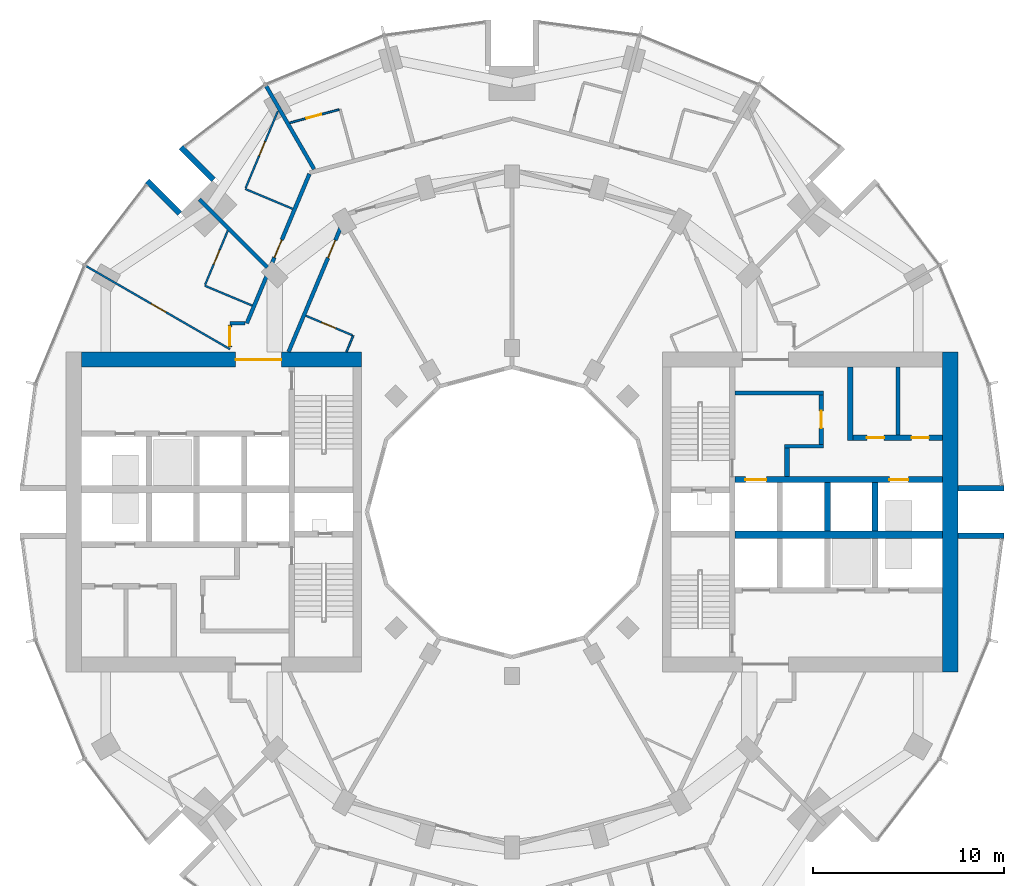
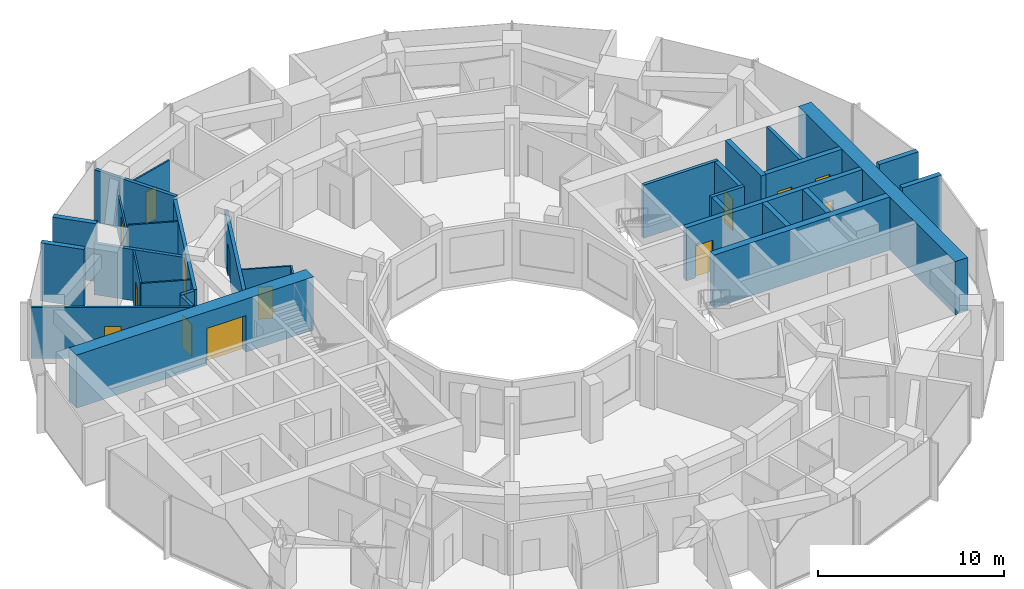
# One storey, part 11 of 15: 31 walls, 14 doors, 14 openings.
"""IFC4 building model written with IfcOpenShell, lengths in metres."""

from ifc_helpers import new_model, si_unit, direction, frame, frame_2d, origin, place, context, subcontext, project, spatial, rectangle, extrude, material, layer, layer_set, type_object, element, fill, save


model = new_model("IFC4")

# Units and contexts
model_context = context("Model", 3, precision=1e-05, world=origin(), true_north=direction((0.0, 1.0)))
body_context = subcontext(model_context, "Body", "Model", "MODEL_VIEW")
ifc_project = project(units=[si_unit("LENGTHUNIT", "METRE"), si_unit("AREAUNIT", "SQUARE_METRE"), si_unit("VOLUMEUNIT", "CUBIC_METRE"), si_unit("PLANEANGLEUNIT", "RADIAN"), si_unit("MASSUNIT", "GRAM", prefix="KILO")], contexts=[model_context])

# Site, building, storey
site_placement = place(None, origin())
site = spatial("IfcSite", under=ifc_project, at=site_placement, CompositionType="ELEMENT")
building_placement = place(site_placement, origin())
building = spatial("IfcBuilding", under=site, at=building_placement, Name="Torre Brocal", CompositionType="ELEMENT")
storey_placement = place(building_placement, frame((0.0, 0.0, 86.199951171875)))
storey = spatial("IfcBuildingStorey", under=building, at=storey_placement, Name="L19", CompositionType="ELEMENT", Elevation=86.199951171875)

# Walls
ifc_material_1 = material(Name="Masonry block", Category="masonry")
ifc_layer_1 = layer(ifc_material_1, 0.199951171875)
ifc_layer_set_1 = layer_set([ifc_layer_1], Name="Masonry block")
wall_type_1 = type_object("IfcWallType", Name="CORE PARTITION 200", PredefinedType="PARTITIONING", material=ifc_layer_set_1)
wall_1_placement = place(storey_placement, frame((100.25, 79.050048828125, 0.0), z_axis=(0.0, 0.0, 1.0), x_axis=(0.0, 1.0, 0.0)))
element("IfcWall", 1, at=wall_1_placement, inside=storey, type_object=wall_type_1, Name="Wall CP200", PredefinedType="PARTITIONING", context=body_context, shape_type="SweptSolid", body=[
    extrude(rectangle(XDim=3.550048828125, YDim=0.199951171875, at=frame_2d((1.77490234375, 0.0))), origin(), (0.0, 0.0, 1.0), 3.47998046875),
])
ifc_material_2 = material(Name="Concrete C80", Category="concrete")
ifc_layer_2 = layer(ifc_material_2, 0.199951171875)
ifc_layer_set_2 = layer_set([ifc_layer_2], Name="Concrete C80")
wall_type_2 = type_object("IfcWallType", Name="CORE WALL 200 C80", PredefinedType="SHEAR", material=ifc_layer_set_2)
wall_2_placement = place(storey_placement, frame((91.699951171875, 81.25, 0.0), z_axis=(0.0, 0.0, 1.0), x_axis=(1.0, 0.0, 0.0)))
element("IfcWall", 2, at=wall_2_placement, inside=storey, type_object=wall_type_2, Name="Wall CW200-80", PredefinedType="SHEAR", context=body_context, shape_type="SweptSolid", body=[
    extrude(rectangle(XDim=4.650146484375, YDim=0.199951171875, at=frame_2d((2.3251953125, 0.0))), origin(), (0.0, 0.0, 1.0), 3.47998046875),
])
wall_3_placement = place(storey_placement, frame((94.300048828125, 78.449951171875, 0.0), z_axis=(0.0, 0.0, 1.0), x_axis=(1.0, 0.0, 0.0)))
element("IfcWall", 3, at=wall_3_placement, inside=storey, type_object=wall_type_2, Name="Wall CW200-80", PredefinedType="SHEAR", context=body_context, shape_type="SweptSolid", body=[
    extrude(rectangle(XDim=2.050048828125, YDim=0.199951171875, at=frame_2d((1.02490234375, 0.0))), origin(), (0.0, 0.0, 1.0), 3.47998046875),
])

# Wall, opening, door
ifc_material_3 = material(Name="Concrete C80", Category="concrete")
ifc_layer_3 = layer(ifc_material_3, 0.25)
ifc_layer_set_3 = layer_set([ifc_layer_3], Name="Concrete C80")
wall_type_3 = type_object("IfcWallType", Name="CORE WALL 250 C80", PredefinedType="SHEAR", material=ifc_layer_set_3)
wall_4_placement = place(storey_placement, frame((96.22509765625, 78.550048828125, 0.0), z_axis=(0.0, 0.0, 1.0), x_axis=(0.0, 1.0, 0.0)))
wall_4 = element("IfcWall", 4, at=wall_4_placement, inside=storey, type_object=wall_type_3, Name="Wall CW250-80", PredefinedType="SHEAR", context=body_context, shape_type="SweptSolid", body=[
    extrude(rectangle(XDim=2.599853515625, YDim=0.25, at=frame_2d((1.2998046875, 0.0))), origin(), (0.0, 0.0, 1.0), 3.47998046875),
])
opening_1_placement = place(wall_4_placement, frame((0.85009765625, 0.0, 0.0)))
opening_1 = element("IfcOpeningElement", 5, at=opening_1_placement, cuts=wall_4, Name="Opening E-D15", PredefinedType="OPENING", context=body_context, shape_type="SweptSolid", body=[
    extrude(rectangle(XDim=0.89990234375, YDim=2.10009765625, at=frame_2d((0.449951171875, 1.050048828125))), frame((0.0, 0.135009765625, 0.0), z_axis=(0.0, -1.0, 0.0), x_axis=(1.0, 0.0, 0.0)), (0.0, 0.0, 1.0), 0.27001953125),
])
ifc_material_4 = material(Name="Steel A653", Category="steel")
door_type_1 = type_object("IfcDoorType", Name="LOBBY DOOR FD120 900X2100", OperationType="SINGLE_SWING_RIGHT", PredefinedType="DOOR", material=ifc_material_4)
door_1_placement = place(opening_1_placement, origin())
door_1 = element("IfcDoor", 6, at=door_1_placement, inside=storey, type_object=door_type_1, Name="Door E-D15", OperationType="SINGLE_SWING_LEFT", OverallHeight=2.10009765625, OverallWidth=0.89990234375, PredefinedType="DOOR", context=body_context, shape_type="SweptSolid", body=[
    extrude(rectangle(XDim=0.89990234375, YDim=2.10009765625, at=frame_2d((0.449951171875, 1.050048828125))), frame((0.0, 0.02490234375, 0.0), z_axis=(0.0, -1.0, 0.0), x_axis=(1.0, 0.0, 0.0)), (0.0, 0.0, 1.0), 0.050048828125),
])
fill(opening_1, door_1)

# Wall
wall_5_placement = place(storey_placement, frame((94.425048828125, 76.85009765625, 0.0), z_axis=(0.0, 0.0, 1.0), x_axis=(0.0, 1.0, 0.0)))
element("IfcWall", 7, at=wall_5_placement, inside=storey, type_object=wall_type_3, Name="Wall CW250-80", PredefinedType="SHEAR", context=body_context, shape_type="SweptSolid", body=[
    extrude(rectangle(XDim=1.5, YDim=0.25, at=frame_2d((0.75, 0.0))), origin(), (0.0, 0.0, 1.0), 3.47998046875),
])

# Wall, openings, doors
ifc_material_5 = material(Name="Concrete C80", Category="concrete")
ifc_layer_4 = layer(ifc_material_5, 0.300048828125)
ifc_layer_set_4 = layer_set([ifc_layer_4], Name="Concrete C80")
wall_type_4 = type_object("IfcWallType", Name="CORE WALL 300 C80", PredefinedType="SHEAR", material=ifc_layer_set_4)
wall_6_placement = place(storey_placement, frame((91.699951171875, 76.699951171875, 0.0), z_axis=(0.0, 0.0, 1.0), x_axis=(1.0, 0.0, 0.0)))
wall_6 = element("IfcWall", 8, at=wall_6_placement, inside=storey, type_object=wall_type_4, Name="Wall CW300-80", PredefinedType="SHEAR", context=body_context, shape_type="SweptSolid", body=[
    extrude(rectangle(XDim=10.900146484375, YDim=0.300048828125, at=frame_2d((5.4501953125, 0.0))), origin(), (0.0, 0.0, 1.0), 3.47998046875),
])
opening_2_placement = place(wall_6_placement, frame((0.550048828125, 0.0, 0.0)))
opening_2 = element("IfcOpeningElement", 9, at=opening_2_placement, cuts=wall_6, Name="Opening LD", PredefinedType="OPENING", context=body_context, shape_type="SweptSolid", body=[
    extrude(rectangle(XDim=1.10009765625, YDim=2.10009765625, at=frame_2d((0.550048828125, 1.050048828125))), frame((0.0, 0.159912109375, 0.0), z_axis=(0.0, -1.0, 0.0), x_axis=(1.0, 0.0, 0.0)), (0.0, 0.0, 1.0), 0.320068359375),
])
opening_3_placement = place(wall_6_placement, frame((8.10009765625, 0.0, 0.0)))
opening_3 = element("IfcOpeningElement", 10, at=opening_3_placement, cuts=wall_6, Name="Opening LD10", PredefinedType="OPENING", context=body_context, shape_type="SweptSolid", body=[
    extrude(rectangle(XDim=1.0, YDim=2.10009765625, at=frame_2d((0.5, 1.050048828125))), frame((0.0, 0.159912109375, 0.0), z_axis=(0.0, -1.0, 0.0), x_axis=(1.0, 0.0, 0.0)), (0.0, 0.0, 1.0), 0.320068359375),
])
ifc_material_6 = material(Name="Stainless steel AISI 316", Category="steel")
door_type_2 = type_object("IfcDoorType", Name="LIFT LANDING DOOR 1000X2100", OperationType="DOUBLE_DOOR_SLIDING", PredefinedType="DOOR", material=ifc_material_6)
door_2_placement = place(opening_3_placement, origin())
door_2 = element("IfcDoor", 11, at=door_2_placement, inside=storey, type_object=door_type_2, Name="Door LD10", OperationType="DOUBLE_DOOR_SLIDING", OverallHeight=2.10009765625, OverallWidth=1.0, PredefinedType="DOOR", context=body_context, shape_type="SweptSolid", body=[
    extrude(rectangle(XDim=1.0, YDim=2.10009765625, at=frame_2d((0.5, 1.050048828125))), frame((0.0, 0.02490234375, 0.0), z_axis=(0.0, -1.0, 0.0), x_axis=(1.0, 0.0, 0.0)), (0.0, 0.0, 1.0), 0.050048828125),
])
fill(opening_3, door_2)
ifc_material_7 = material(Name="Stainless steel AISI 316", Category="steel")
door_type_3 = type_object("IfcDoorType", Name="LIFT LANDING DOOR 1100X2100", OperationType="DOUBLE_DOOR_SLIDING", PredefinedType="DOOR", material=ifc_material_7)
door_3_placement = place(opening_2_placement, origin())
door_3 = element("IfcDoor", 12, at=door_3_placement, inside=storey, type_object=door_type_3, Name="Door LD", OperationType="DOUBLE_DOOR_SLIDING", OverallHeight=2.10009765625, OverallWidth=1.10009765625, PredefinedType="DOOR", context=body_context, shape_type="SweptSolid", body=[
    extrude(rectangle(XDim=1.10009765625, YDim=2.10009765625, at=frame_2d((0.550048828125, 1.050048828125))), frame((0.0, 0.02490234375, 0.0), z_axis=(0.0, -1.0, 0.0), x_axis=(1.0, 0.0, 0.0)), (0.0, 0.0, 1.0), 0.050048828125),
])
fill(opening_2, door_3)

# Walls
for number, where, z_axis, x_axis, name in (
    (13, (96.550048828125, 74.0, 0.0), (0.0, 0.0, 1.0), (0.0, 1.0, 0.0), "Wall CW300-80"),
    (14, (99.050048828125, 74.0, 0.0), (0.0, 0.0, 1.0), (0.0, 1.0, 0.0), "Wall CW300-80"),
):
    element("IfcWall", number, at=place(storey_placement, frame(where, z_axis=z_axis, x_axis=x_axis)), inside=storey, type_object=wall_type_4, Name=name, PredefinedType="SHEAR", context=body_context, shape_type="SweptSolid", body=[
        extrude(rectangle(XDim=2.550048828125, YDim=0.300048828125, at=frame_2d((1.27490234375, 0.0))), origin(), (0.0, 0.0, 1.0), 3.47998046875),
    ])
wall_7_placement = place(storey_placement, frame((97.75, 78.75, 0.0), z_axis=(0.0, 0.0, 1.0), x_axis=(0.0, 1.0, 0.0)))
element("IfcWall", 15, at=wall_7_placement, inside=storey, type_object=wall_type_4, Name="Wall CW300-80", PredefinedType="SHEAR", context=body_context, shape_type="SweptSolid", body=[
    extrude(rectangle(XDim=3.85009765625, YDim=0.300048828125, at=frame_2d((1.925048828125, 0.0))), origin(), (0.0, 0.0, 1.0), 3.47998046875),
])

# Wall, openings, doors
wall_8_placement = place(storey_placement, frame((97.89990234375, 78.89990234375, 0.0), z_axis=(0.0, 0.0, 1.0), x_axis=(1.0, 0.0, 0.0)))
wall_8 = element("IfcWall", 16, at=wall_8_placement, inside=storey, type_object=wall_type_4, Name="Wall CW300-80", PredefinedType="SHEAR", context=body_context, shape_type="SweptSolid", body=[
    extrude(rectangle(XDim=4.7001953125, YDim=0.300048828125, at=frame_2d((2.35009765625, 0.0))), origin(), (0.0, 0.0, 1.0), 3.47998046875),
])
opening_4_placement = place(wall_8_placement, frame((0.72509765625, 0.0, 0.0)))
opening_4 = element("IfcOpeningElement", 17, at=opening_4_placement, cuts=wall_8, Name="Opening E-D05", PredefinedType="OPENING", context=body_context, shape_type="SweptSolid", body=[
    extrude(rectangle(XDim=0.89990234375, YDim=2.10009765625, at=frame_2d((0.449951171875, 1.050048828125))), frame((0.0, 0.159912109375, 0.0), z_axis=(0.0, -1.0, 0.0), x_axis=(1.0, 0.0, 0.0)), (0.0, 0.0, 1.0), 0.320068359375),
])
opening_5_placement = place(wall_8_placement, frame((3.074951171875, 0.0, 0.0)))
opening_5 = element("IfcOpeningElement", 18, at=opening_5_placement, cuts=wall_8, Name="Opening E-D06", PredefinedType="OPENING", context=body_context, shape_type="SweptSolid", body=[
    extrude(rectangle(XDim=0.89990234375, YDim=2.10009765625, at=frame_2d((0.449951171875, 1.050048828125))), frame((0.0, 0.159912109375, 0.0), z_axis=(0.0, -1.0, 0.0), x_axis=(1.0, 0.0, 0.0)), (0.0, 0.0, 1.0), 0.320068359375),
])
ifc_material_8 = material(Name="Steel A653", Category="steel")
door_type_4 = type_object("IfcDoorType", Name="ROOM DOOR FD30S 900X2100", OperationType="SINGLE_SWING_LEFT", PredefinedType="DOOR", material=ifc_material_8)
door_4_placement = place(opening_4_placement, origin())
door_4 = element("IfcDoor", 19, at=door_4_placement, inside=storey, type_object=door_type_4, Name="Door E-D05", OperationType="SINGLE_SWING_RIGHT", OverallHeight=2.10009765625, OverallWidth=0.89990234375, PredefinedType="DOOR", context=body_context, shape_type="SweptSolid", body=[
    extrude(rectangle(XDim=0.89990234375, YDim=2.10009765625, at=frame_2d((0.449951171875, 1.050048828125))), frame((0.0, 0.02490234375, 0.0), z_axis=(0.0, -1.0, 0.0), x_axis=(1.0, 0.0, 0.0)), (0.0, 0.0, 1.0), 0.050048828125),
])
fill(opening_4, door_4)
door_5_placement = place(opening_5_placement, origin())
door_5 = element("IfcDoor", 20, at=door_5_placement, inside=storey, type_object=door_type_4, Name="Door E-D06", OperationType="SINGLE_SWING_LEFT", OverallHeight=2.10009765625, OverallWidth=0.89990234375, PredefinedType="DOOR", context=body_context, shape_type="SweptSolid", body=[
    extrude(rectangle(XDim=0.89990234375, YDim=2.10009765625, at=frame_2d((0.449951171875, 1.050048828125))), frame((0.0, 0.02490234375, 0.0), z_axis=(0.0, -1.0, 0.0), x_axis=(1.0, 0.0, 0.0)), (0.0, 0.0, 1.0), 0.050048828125),
])
fill(opening_5, door_5)

# Walls
ifc_material_9 = material(Name="Concrete C80", Category="concrete")
ifc_layer_5 = layer(ifc_material_9, 0.39990234375)
ifc_layer_set_5 = layer_set([ifc_layer_5], Name="Concrete C80")
wall_type_5 = type_object("IfcWallType", Name="CORE WALL 400 C80", PredefinedType="SHEAR", material=ifc_layer_set_5)
wall_9_placement = place(storey_placement, frame((91.699951171875, 73.800048828125, 0.0), z_axis=(0.0, 0.0, 1.0), x_axis=(1.0, 0.0, 0.0)))
element("IfcWall", 21, at=wall_9_placement, inside=storey, type_object=wall_type_5, Name="Wall CW400-80", PredefinedType="SHEAR", context=body_context, shape_type="SweptSolid", body=[
    extrude(rectangle(XDim=10.900146484375, YDim=0.39990234375, at=frame_2d((5.4501953125, 0.0))), origin(), (0.0, 0.0, 1.0), 3.47998046875),
])
ifc_material_10 = material(Name="Concrete C80", Category="concrete")
ifc_layer_6 = layer(ifc_material_10, 0.800048828125)
ifc_layer_set_6 = layer_set([ifc_layer_6], Name="Concrete C80")
wall_type_6 = type_object("IfcWallType", Name="CORE WALL 800 C80", PredefinedType="SHEAR", material=ifc_layer_set_6)
wall_10_placement = place(storey_placement, frame((103.0, 66.60009765625, 0.0), z_axis=(0.0, 0.0, 1.0), x_axis=(0.0, 1.0, 0.0)))
element("IfcWall", 22, at=wall_10_placement, inside=storey, type_object=wall_type_6, Name="Wall CW800-80", PredefinedType="SHEAR", context=body_context, shape_type="SweptSolid", body=[
    extrude(rectangle(XDim=16.7998046875, YDim=0.800048828125, at=frame_2d((8.39990234375, 0.0))), origin(), (0.0, 0.0, 1.0), 3.47998046875),
])

# Wall, opening, door
wall_11_placement = place(storey_placement, frame((72.10009765625, 83.0, 0.0), z_axis=(0.0, 0.0, 1.0), x_axis=(-1.0, 0.0, 0.0)))
wall_11 = element("IfcWall", 23, at=wall_11_placement, inside=storey, type_object=wall_type_6, Name="Wall CW800-80", PredefinedType="SHEAR", context=body_context, shape_type="SweptSolid", body=[
    extrude(rectangle(XDim=14.7001953125, YDim=0.800048828125, at=frame_2d((7.35009765625, 0.0))), origin(), (0.0, 0.0, 1.0), 3.47998046875),
])
opening_6_placement = place(wall_11_placement, frame((4.199951171875, 0.0, 0.0)))
opening_6 = element("IfcOpeningElement", 24, at=opening_6_placement, cuts=wall_11, Name="Opening W-D27", PredefinedType="OPENING", context=body_context, shape_type="SweptSolid", body=[
    extrude(rectangle(XDim=2.39990234375, YDim=2.39990234375, at=frame_2d((1.199951171875, 1.199951171875))), frame((0.0, 0.409912109375, 0.0), z_axis=(0.0, -1.0, 0.0), x_axis=(1.0, 0.0, 0.0)), (0.0, 0.0, 1.0), 0.820068359375),
])
ifc_material_11 = material(Name="Steel A653", Category="steel")
door_type_5 = type_object("IfcDoorType", Name="DOUBLE FIRE DOOR FD90 2400X2400", OperationType="DOUBLE_DOOR_SINGLE_SWING", PredefinedType="DOOR", material=ifc_material_11)
door_6_placement = place(opening_6_placement, origin())
door_6 = element("IfcDoor", 25, at=door_6_placement, inside=storey, type_object=door_type_5, Name="Door W-D27", OperationType="DOUBLE_DOOR_SINGLE_SWING", OverallHeight=2.39990234375, OverallWidth=2.39990234375, PredefinedType="DOOR", context=body_context, shape_type="SweptSolid", body=[
    extrude(rectangle(XDim=2.39990234375, YDim=2.39990234375, at=frame_2d((1.199951171875, 1.199951171875))), frame((0.0, 0.02490234375, 0.0), z_axis=(0.0, -1.0, 0.0), x_axis=(1.0, 0.0, 0.0)), (0.0, 0.0, 1.0), 0.050048828125),
])
fill(opening_6, door_6)

# Walls
ifc_material_12 = material(Name="Concrete C80", Category="concrete")
ifc_layer_7 = layer(ifc_material_12, 0.300048828125)
ifc_layer_set_7 = layer_set([ifc_layer_7], Name="Concrete C80")
wall_type_7 = type_object("IfcWallType", Name="NOTCH RETURN WALL 300 C80", PredefinedType="NOTDEFINED", material=ifc_layer_set_7)
for number, where, z_axis, x_axis, name in (
    (26, (103.39990234375, 73.75, 0.0), (0.0, 0.0, 1.0), (1.0, 0.0, 0.0), "NOTCH RETURN WALL"),
    (27, (103.39990234375, 76.25, 0.0), (0.0, 0.0, 1.0), (1.0, 0.0, 0.0), "NOTCH RETURN WALL"),
    (28, (64.337646484375, 92.43017578125, 0.0), (0.0, 0.0, 1.0), (-0.707106781187, 0.707106781187, 0.0), "NOTCH RETURN WALL"),
    (29, (62.56982421875, 90.662353515625, 0.0), (0.0, 0.0, 1.0), (-0.707106781187, 0.707106781187, 0.0), "NOTCH RETURN WALL"),
):
    element("IfcWall", number, at=place(storey_placement, frame(where, z_axis=z_axis, x_axis=x_axis)), inside=storey, type_object=wall_type_7, Name=name, PredefinedType="NOTDEFINED", context=body_context, shape_type="SweptSolid", body=[
        extrude(rectangle(XDim=2.415771484375, YDim=0.300048828125, at=frame_2d((1.2080078125, 0.0))), origin(), (0.0, 0.0, 1.0), 3.800048828125),
    ])

# Wall, opening, door
ifc_material_13 = material(Name="Gypsum board", Category="Gypsum")
ifc_layer_8 = layer(ifc_material_13, 0.10009765625)
ifc_layer_set_8 = layer_set([ifc_layer_8], Name="Gypsum board")
wall_type_8 = type_object("IfcWallType", Name="PARTITION 100", PredefinedType="PARTITIONING", material=ifc_layer_set_8)
wall_12_placement = place(storey_placement, frame((57.65869140625, 87.89892578125, 0.0), z_axis=(0.0, 0.0, 1.0), x_axis=(0.86602264145, -0.500004784474, 0.0)))
wall_12 = element("IfcWall", 30, at=wall_12_placement, inside=storey, type_object=wall_type_8, Name="ROOM PARTITION", PredefinedType="PARTITIONING", context=body_context, shape_type="SweptSolid", body=[
    extrude(rectangle(XDim=8.7080078125, YDim=0.10009765625, at=frame_2d((4.35400390625, 0.0))), origin(), (0.0, 0.0, 1.0), 3.35009765625),
])
opening_7_placement = place(wall_12_placement, frame((3.928955078125, 0.0, 0.0)))
opening_7 = element("IfcOpeningElement", 31, at=opening_7_placement, cuts=wall_12, Name="Opening H05-D16", PredefinedType="OPENING", context=body_context, shape_type="SweptSolid", body=[
    extrude(rectangle(XDim=0.89990234375, YDim=2.10009765625, at=frame_2d((0.449951171875, 1.050048828125))), frame((0.0, 0.06005859375, 0.0), z_axis=(0.0, -1.0, 0.0), x_axis=(1.0, 0.0, 0.0)), (0.0, 0.0, 1.0), 0.1201171875),
])
ifc_material_14 = material(Name="Timber", Category="wood")
door_type_6 = type_object("IfcDoorType", Name="ROOM DOOR 900X2100", OperationType="SINGLE_SWING_LEFT", PredefinedType="DOOR", material=ifc_material_14)
door_7_placement = place(opening_7_placement, frame((0.89990234375, 0.0, 0.0), z_axis=(0.0, 0.0, 1.0), x_axis=(-1.0, 0.0, 0.0)))
door_7 = element("IfcDoor", 32, at=door_7_placement, inside=storey, type_object=door_type_6, Name="H05-D16", OperationType="SINGLE_SWING_LEFT", OverallHeight=2.10009765625, OverallWidth=0.89990234375, PredefinedType="DOOR", context=body_context, shape_type="SweptSolid", body=[
    extrude(rectangle(XDim=0.89990234375, YDim=2.10009765625, at=frame_2d((0.449951171875, 1.050048828125))), frame((0.0, 0.02490234375, 0.0), z_axis=(0.0, -1.0, 0.0), x_axis=(1.0, 0.0, 0.0)), (0.0, 0.0, 1.0), 0.050048828125),
])
fill(opening_7, door_7)

wall_13_placement = place(storey_placement, frame((63.89599609375, 86.92041015625, 0.0), z_axis=(0.0, 0.0, 1.0), x_axis=(0.386485049699, 0.922295671875, 0.0)))
wall_13 = element("IfcWall", 33, at=wall_13_placement, inside=storey, type_object=wall_type_8, Name="BATHROOM WALL", PredefinedType="PARTITIONING", context=body_context, shape_type="SweptSolid", body=[
    extrude(rectangle(XDim=3.076904296875, YDim=0.10009765625, at=frame_2d((1.53857421875, 0.0))), origin(), (0.0, 0.0, 1.0), 3.35009765625),
])
opening_8_placement = place(wall_13_placement, frame((1.173583984375, 0.0, 0.0)))
opening_8 = element("IfcOpeningElement", 34, at=opening_8_placement, cuts=wall_13, Name="Opening H05-D15", PredefinedType="OPENING", context=body_context, shape_type="SweptSolid", body=[
    extrude(rectangle(XDim=0.800048828125, YDim=2.10009765625, at=frame_2d((0.39990234375, 1.050048828125))), frame((0.0, 0.06005859375, 0.0), z_axis=(0.0, -1.0, 0.0), x_axis=(1.0, 0.0, 0.0)), (0.0, 0.0, 1.0), 0.1201171875),
])
ifc_material_15 = material(Name="Timber", Category="wood")
door_type_7 = type_object("IfcDoorType", Name="BATHROOM DOOR 800X2100", OperationType="SINGLE_SWING_LEFT", PredefinedType="DOOR", material=ifc_material_15)
door_8_placement = place(opening_8_placement, frame((0.800048828125, 0.0, 0.0), z_axis=(0.0, 0.0, 1.0), x_axis=(-1.0, 0.0, 0.0)))
door_8 = element("IfcDoor", 35, at=door_8_placement, inside=storey, type_object=door_type_7, Name="H05-D15", OperationType="SINGLE_SWING_LEFT", OverallHeight=2.10009765625, OverallWidth=0.800048828125, PredefinedType="DOOR", context=body_context, shape_type="SweptSolid", body=[
    extrude(rectangle(XDim=0.800048828125, YDim=2.10009765625, at=frame_2d((0.39990234375, 1.050048828125))), frame((0.0, 0.02490234375, 0.0), z_axis=(0.0, -1.0, 0.0), x_axis=(1.0, 0.0, 0.0)), (0.0, 0.0, 1.0), 0.050048828125),
])
fill(opening_8, door_8)

# Walls
for number, where, z_axis, x_axis, name in (
    (36, (63.876953125, 86.8740234375, 0.0), (0.0, 0.0, 1.0), (0.922350337209, -0.386354572188, 0.0), "BATHROOM WALL"),
    (37, (66.0029296875, 91.949951171875, 0.0), (0.0, 0.0, 1.0), (0.922350337209, -0.386354572188, 0.0), "BATHROOM WALL"),
):
    element("IfcWall", number, at=place(storey_placement, frame(where, z_axis=z_axis, x_axis=x_axis)), inside=storey, type_object=wall_type_8, Name=name, PredefinedType="PARTITIONING", context=body_context, shape_type="SweptSolid", body=[
        extrude(rectangle(XDim=2.7001953125, YDim=0.10009765625, at=frame_2d((1.35009765625, 0.0))), origin(), (0.0, 0.0, 1.0), 3.35009765625),
    ])

# Wall, opening, door
wall_14_placement = place(storey_placement, frame((68.34326171875, 95.421142578125, 0.0), z_axis=(0.0, 0.0, 1.0), x_axis=(0.965922846648, 0.258830165017, 0.0)))
wall_14 = element("IfcWall", 38, at=wall_14_placement, inside=storey, type_object=wall_type_8, Name="BATHROOM WALL", PredefinedType="PARTITIONING", context=body_context, shape_type="SweptSolid", body=[
    extrude(rectangle(XDim=2.6806640625, YDim=0.10009765625, at=frame_2d((1.34033203125, 0.0))), origin(), (0.0, 0.0, 1.0), 3.35009765625),
])
opening_9_placement = place(wall_14_placement, frame((0.905029296875, 0.0, 0.0)))
opening_9 = element("IfcOpeningElement", 39, at=opening_9_placement, cuts=wall_14, Name="Opening H05-D11", PredefinedType="OPENING", context=body_context, shape_type="SweptSolid", body=[
    extrude(rectangle(XDim=0.800048828125, YDim=2.10009765625, at=frame_2d((0.39990234375, 1.050048828125))), frame((0.0, 0.06005859375, 0.0), z_axis=(0.0, -1.0, 0.0), x_axis=(1.0, 0.0, 0.0)), (0.0, 0.0, 1.0), 0.1201171875),
])
door_9_placement = place(opening_9_placement, frame((0.800048828125, 0.0, 0.0), z_axis=(0.0, 0.0, 1.0), x_axis=(-1.0, 0.0, 0.0)))
door_9 = element("IfcDoor", 40, at=door_9_placement, inside=storey, type_object=door_type_7, Name="H05-D11", OperationType="SINGLE_SWING_RIGHT", OverallHeight=2.10009765625, OverallWidth=0.800048828125, PredefinedType="DOOR", context=body_context, shape_type="SweptSolid", body=[
    extrude(rectangle(XDim=0.800048828125, YDim=2.10009765625, at=frame_2d((0.39990234375, 1.050048828125))), frame((0.0, 0.02490234375, 0.0), z_axis=(0.0, -1.0, 0.0), x_axis=(1.0, 0.0, 0.0)), (0.0, 0.0, 1.0), 0.050048828125),
])
fill(opening_9, door_9)

wall_15_placement = place(storey_placement, frame((69.1806640625, 85.298095703125, 0.0), z_axis=(0.0, 0.0, 1.0), x_axis=(0.922377635784, -0.38628939541, 0.0)))
wall_15 = element("IfcWall", 41, at=wall_15_placement, inside=storey, type_object=wall_type_8, Name="BATHROOM WALL", PredefinedType="PARTITIONING", context=body_context, shape_type="SweptSolid", body=[
    extrude(rectangle(XDim=2.650146484375, YDim=0.10009765625, at=frame_2d((1.3251953125, 0.0))), origin(), (0.0, 0.0, 1.0), 3.35009765625),
])
opening_10_placement = place(wall_15_placement, frame((0.89990234375, 0.0, 0.0)))
opening_10 = element("IfcOpeningElement", 42, at=opening_10_placement, cuts=wall_15, Name="Opening H05-D23", PredefinedType="OPENING", context=body_context, shape_type="SweptSolid", body=[
    extrude(rectangle(XDim=0.800048828125, YDim=2.10009765625, at=frame_2d((0.39990234375, 1.050048828125))), frame((0.0, 0.06005859375, 0.0), z_axis=(0.0, -1.0, 0.0), x_axis=(1.0, 0.0, 0.0)), (0.0, 0.0, 1.0), 0.1201171875),
])
door_10_placement = place(opening_10_placement, frame((0.800048828125, 0.0, 0.0), z_axis=(0.0, 0.0, 1.0), x_axis=(-1.0, 0.0, 0.0)))
door_10 = element("IfcDoor", 43, at=door_10_placement, inside=storey, type_object=door_type_7, Name="H05-D23", OperationType="SINGLE_SWING_RIGHT", OverallHeight=2.10009765625, OverallWidth=0.800048828125, PredefinedType="DOOR", context=body_context, shape_type="SweptSolid", body=[
    extrude(rectangle(XDim=0.800048828125, YDim=2.10009765625, at=frame_2d((0.39990234375, 1.050048828125))), frame((0.0, 0.02490234375, 0.0), z_axis=(0.0, -1.0, 0.0), x_axis=(1.0, 0.0, 0.0)), (0.0, 0.0, 1.0), 0.050048828125),
])
fill(opening_10, door_10)

# Wall
wall_16_placement = place(storey_placement, frame((71.31298828125, 83.39990234375, 0.0), z_axis=(0.0, 0.0, 1.0), x_axis=(0.386148512695, 0.922436624459, 0.0)))
element("IfcWall", 44, at=wall_16_placement, inside=storey, type_object=wall_type_8, Name="BATHROOM WALL", PredefinedType="PARTITIONING", context=body_context, shape_type="SweptSolid", body=[
    extrude(rectangle(XDim=0.9267578125, YDim=0.10009765625, at=frame_2d((0.46337890625, 0.0))), origin(), (0.0, 0.0, 1.0), 3.35009765625),
])

# Wall, opening, door
ifc_material_16 = material(Name="Gypsum board", Category="Gypsum")
ifc_layer_9 = layer(ifc_material_16, 0.10009765625)
ifc_layer_set_9 = layer_set([ifc_layer_9], Name="Gypsum board")
wall_type_9 = type_object("IfcWallType", Name="PARTITION 100 UNDER BEAM 1220", PredefinedType="PARTITIONING", material=ifc_layer_set_9)
wall_17_placement = place(storey_placement, frame((66.022705078125, 91.995849609375, 0.0), z_axis=(0.0, 0.0, 1.0), x_axis=(0.386497426192, 0.922290485447, 0.0)))
wall_17 = element("IfcWall", 45, at=wall_17_placement, inside=storey, type_object=wall_type_9, Name="BATHROOM WALL", PredefinedType="PARTITIONING", context=body_context, shape_type="SweptSolid", body=[
    extrude(rectangle(XDim=4.382568359375, YDim=0.10009765625, at=frame_2d((2.19140625, 0.0))), origin(), (0.0, 0.0, 1.0), 2.580078125),
])
opening_11_placement = place(wall_17_placement, frame((1.84130859375, 0.0, 0.0)))
opening_11 = element("IfcOpeningElement", 46, at=opening_11_placement, cuts=wall_17, Name="Opening H05-D13", PredefinedType="OPENING", context=body_context, shape_type="SweptSolid", body=[
    extrude(rectangle(XDim=0.800048828125, YDim=2.10009765625, at=frame_2d((0.39990234375, 1.050048828125))), frame((0.0, 0.06005859375, 0.0), z_axis=(0.0, -1.0, 0.0), x_axis=(1.0, 0.0, 0.0)), (0.0, 0.0, 1.0), 0.1201171875),
])
door_11_placement = place(opening_11_placement, frame((0.800048828125, 0.0, 0.0), z_axis=(0.0, 0.0, 1.0), x_axis=(-1.0, 0.0, 0.0)))
door_11 = element("IfcDoor", 47, at=door_11_placement, inside=storey, type_object=door_type_7, Name="H05-D13", OperationType="SINGLE_SWING_LEFT", OverallHeight=2.10009765625, OverallWidth=0.800048828125, PredefinedType="DOOR", context=body_context, shape_type="SweptSolid", body=[
    extrude(rectangle(XDim=0.800048828125, YDim=2.10009765625, at=frame_2d((0.39990234375, 1.050048828125))), frame((0.0, 0.02490234375, 0.0), z_axis=(0.0, -1.0, 0.0), x_axis=(1.0, 0.0, 0.0)), (0.0, 0.0, 1.0), 0.050048828125),
])
fill(opening_11, door_11)

# Wall
ifc_material_17 = material(Name="Gypsum board", Category="Gypsum")
ifc_layer_10 = layer(ifc_material_17, 0.199951171875)
ifc_layer_set_10 = layer_set([ifc_layer_10], Name="Gypsum board")
wall_type_10 = type_object("IfcWallType", Name="PARTITION 200 EI60", PredefinedType="PARTITIONING", material=ifc_layer_set_10)
wall_18_placement = place(storey_placement, frame((63.599609375, 91.4091796875, 0.0), z_axis=(0.0, 0.0, 1.0), x_axis=(0.70693749829, -0.707276023566, 0.0)))
element("IfcWall", 48, at=wall_18_placement, inside=storey, type_object=wall_type_10, Name="BATHROOM WALL", PredefinedType="PARTITIONING", context=body_context, shape_type="SweptSolid", body=[
    extrude(rectangle(XDim=5.04833984375, YDim=0.199951171875, at=frame_2d((2.524169921875, 0.0))), origin(), (0.0, 0.0, 1.0), 3.35009765625),
])

# Wall, opening, door
wall_19_placement = place(storey_placement, frame((65.199951171875, 83.64990234375, 0.0), z_axis=(0.0, 0.0, 1.0), x_axis=(0.0, 1.0, 0.0)))
wall_19 = element("IfcWall", 49, at=wall_19_placement, inside=storey, type_object=wall_type_10, Name="GUESTROOM CORRIDOR WALL", PredefinedType="PARTITIONING", context=body_context, shape_type="SweptSolid", body=[
    extrude(rectangle(XDim=1.150146484375, YDim=0.199951171875, at=frame_2d((0.5751953125, 0.0))), origin(), (0.0, 0.0, 1.0), 3.35009765625),
])
opening_12_placement = place(wall_19_placement, frame((0.0625, 0.0, 0.0)))
opening_12 = element("IfcOpeningElement", 50, at=opening_12_placement, cuts=wall_19, Name="Opening H05-D14", PredefinedType="OPENING", context=body_context, shape_type="SweptSolid", body=[
    extrude(rectangle(XDim=1.0, YDim=2.10009765625, at=frame_2d((0.5, 1.050048828125))), frame((0.0, 0.10986328125, 0.0), z_axis=(0.0, -1.0, 0.0), x_axis=(1.0, 0.0, 0.0)), (0.0, 0.0, 1.0), 0.219970703125),
])
ifc_material_18 = material(Name="Timber", Category="wood")
door_type_8 = type_object("IfcDoorType", Name="FLAT ENTRY DOOR FD30S 1000X2100", OperationType="SINGLE_SWING_RIGHT", PredefinedType="DOOR", material=ifc_material_18)
door_12_placement = place(opening_12_placement, origin())
door_12 = element("IfcDoor", 51, at=door_12_placement, inside=storey, type_object=door_type_8, Name="H05-D14", OperationType="SINGLE_SWING_RIGHT", OverallHeight=2.10009765625, OverallWidth=1.0, PredefinedType="DOOR", context=body_context, shape_type="SweptSolid", body=[
    extrude(rectangle(XDim=1.0, YDim=2.10009765625, at=frame_2d((0.5, 1.050048828125))), frame((0.0, 0.02490234375, 0.0), z_axis=(0.0, -1.0, 0.0), x_axis=(1.0, 0.0, 0.0)), (0.0, 0.0, 1.0), 0.050048828125),
])
fill(opening_12, door_12)

# Wall
wall_20_placement = place(storey_placement, frame((65.199951171875, 84.89990234375, 0.0), z_axis=(0.0, 0.0, 1.0), x_axis=(1.0, 0.0, 0.0)))
element("IfcWall", 52, at=wall_20_placement, inside=storey, type_object=wall_type_10, Name="GUESTROOM CORRIDOR WALL", PredefinedType="PARTITIONING", context=body_context, shape_type="SweptSolid", body=[
    extrude(rectangle(XDim=0.796142578125, YDim=0.199951171875, at=frame_2d((0.39794921875, 0.0))), origin(), (0.0, 0.0, 1.0), 3.35009765625),
])

# Wall, opening, door
wall_21_placement = place(storey_placement, frame((66.085205078125, 84.900390625, 0.0), z_axis=(0.0, 0.0, 1.0), x_axis=(0.386676248006, 0.922215527536, 0.0)))
wall_21 = element("IfcWall", 53, at=wall_21_placement, inside=storey, type_object=wall_type_10, Name="GUESTROOM CORRIDOR WALL", PredefinedType="PARTITIONING", context=body_context, shape_type="SweptSolid", body=[
    extrude(rectangle(XDim=8.500244140625, YDim=0.199951171875, at=frame_2d((4.25, 0.0))), origin(), (0.0, 0.0, 1.0), 3.35009765625),
])
opening_13_placement = place(wall_21_placement, frame((3.74755859375, 0.0, 0.0)))
opening_13 = element("IfcOpeningElement", 54, at=opening_13_placement, cuts=wall_21, Name="Opening H05-D12", PredefinedType="OPENING", context=body_context, shape_type="SweptSolid", body=[
    extrude(rectangle(XDim=1.0, YDim=2.10009765625, at=frame_2d((0.5, 1.050048828125))), frame((0.0, 0.10986328125, 0.0), z_axis=(0.0, -1.0, 0.0), x_axis=(1.0, 0.0, 0.0)), (0.0, 0.0, 1.0), 0.219970703125),
])
door_13_placement = place(opening_13_placement, origin())
door_13 = element("IfcDoor", 55, at=door_13_placement, inside=storey, type_object=door_type_8, Name="H05-D12", OperationType="SINGLE_SWING_LEFT", OverallHeight=2.10009765625, OverallWidth=1.0, PredefinedType="DOOR", context=body_context, shape_type="SweptSolid", body=[
    extrude(rectangle(XDim=1.0, YDim=2.10009765625, at=frame_2d((0.5, 1.050048828125))), frame((0.0, 0.02490234375, 0.0), z_axis=(0.0, -1.0, 0.0), x_axis=(1.0, 0.0, 0.0)), (0.0, 0.0, 1.0), 0.050048828125),
])
fill(opening_13, door_13)

# Wall
wall_22_placement = place(storey_placement, frame((67.1044921875, 97.34326171875, 0.0), z_axis=(0.0, 0.0, 1.0), x_axis=(0.499799615385, -0.866141064989, 0.0)))
element("IfcWall", 56, at=wall_22_placement, inside=storey, type_object=wall_type_10, Name="BATHROOM WALL", PredefinedType="PARTITIONING", context=body_context, shape_type="SweptSolid", body=[
    extrude(rectangle(XDim=5.021484375, YDim=0.199951171875, at=frame_2d((2.5107421875, 0.0))), origin(), (0.0, 0.0, 1.0), 3.35009765625),
])

# Wall, opening, door
wall_23_placement = place(storey_placement, frame((68.276611328125, 83.400146484375, 0.0), z_axis=(0.0, 0.0, 1.0), x_axis=(0.386454861164, 0.922308321703, 0.0)))
wall_23 = element("IfcWall", 57, at=wall_23_placement, inside=storey, type_object=wall_type_10, Name="GUESTROOM CORRIDOR WALL", PredefinedType="PARTITIONING", context=body_context, shape_type="SweptSolid", body=[
    extrude(rectangle(XDim=7.76220703125, YDim=0.199951171875, at=frame_2d((3.881103515625, 0.0))), origin(), (0.0, 0.0, 1.0), 3.35009765625),
])
opening_14_placement = place(wall_23_placement, frame((5.3505859375, 0.0, 0.0)))
opening_14 = element("IfcOpeningElement", 58, at=opening_14_placement, cuts=wall_23, Name="Opening H05-D22", PredefinedType="OPENING", context=body_context, shape_type="SweptSolid", body=[
    extrude(rectangle(XDim=1.0, YDim=2.10009765625, at=frame_2d((0.5, 1.050048828125))), frame((0.0, 0.10986328125, 0.0), z_axis=(0.0, -1.0, 0.0), x_axis=(1.0, 0.0, 0.0)), (0.0, 0.0, 1.0), 0.219970703125),
])
door_14_placement = place(opening_14_placement, frame((1.0, 0.0, 0.0), z_axis=(0.0, 0.0, 1.0), x_axis=(-1.0, 0.0, 0.0)))
door_14 = element("IfcDoor", 59, at=door_14_placement, inside=storey, type_object=door_type_8, Name="H05-D22", OperationType="SINGLE_SWING_LEFT", OverallHeight=2.10009765625, OverallWidth=1.0, PredefinedType="DOOR", context=body_context, shape_type="SweptSolid", body=[
    extrude(rectangle(XDim=1.0, YDim=2.10009765625, at=frame_2d((0.5, 1.050048828125))), frame((0.0, 0.02490234375, 0.0), z_axis=(0.0, -1.0, 0.0), x_axis=(1.0, 0.0, 0.0)), (0.0, 0.0, 1.0), 0.050048828125),
])
fill(opening_14, door_14)

save(model, "model.ifc")
